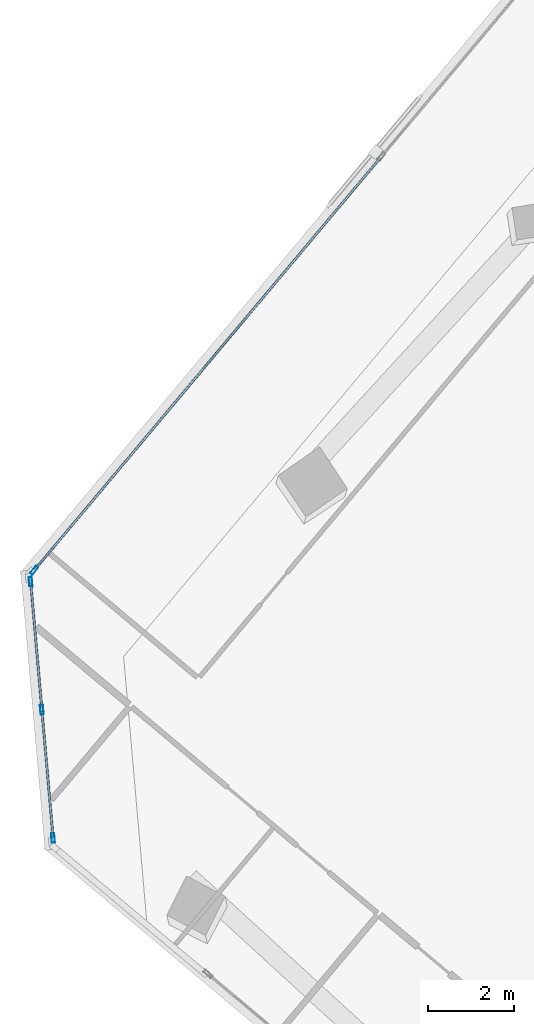
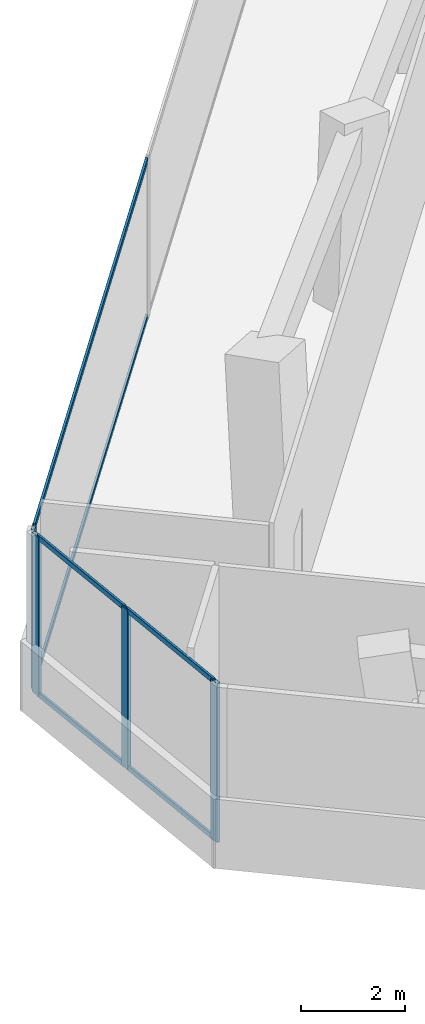
# One storey, part 4 of 18: 10 members, 2 elements without a shape of their own.
"""IFC4 building model written with IfcOpenShell, lengths in metres."""

from ifc_helpers import new_model, si_unit, direction, frame, origin, origin_2d, place, context, subcontext, project, spatial, hollow_rectangle, extrude, source, transform, mapped, material, material_profile, profile_set, type_object, element, aggregate, save


model = new_model("IFC4")

# Units and contexts
model_context = context("Model", 3, precision=1e-05, world=origin(), true_north=direction((0.0, 1.0)))
body_context = subcontext(model_context, "Body", "Model", "MODEL_VIEW")
ifc_project = project(units=[si_unit("LENGTHUNIT", "METRE"), si_unit("AREAUNIT", "SQUARE_METRE"), si_unit("VOLUMEUNIT", "CUBIC_METRE"), si_unit("PLANEANGLEUNIT", "RADIAN"), si_unit("MASSUNIT", "GRAM", prefix="KILO")], contexts=[model_context])

# Site, building, storey
site_placement = place(None, origin())
site = spatial("IfcSite", under=ifc_project, at=site_placement, CompositionType="ELEMENT")
building_placement = place(site_placement, origin())
building = spatial("IfcBuilding", under=site, at=building_placement, Name="Torre Montelarca", CompositionType="ELEMENT")
storey_placement = place(building_placement, frame((0.0, 0.0, 224.800048828125)))
storey = spatial("IfcBuildingStorey", under=building, at=storey_placement, Name="L50", CompositionType="ELEMENT", Elevation=224.800048828125)

# Curtain wall, members
ifc_material_1 = material(Name="Insulated low-E laminated glass", Category="glass")
curtain_wall_type = type_object("IfcCurtainWallType", Name="CW-SYS-Z3", PredefinedType="USERDEFINED", material=ifc_material_1)
curtain_wall_1_placement = place(storey_placement, origin())
curtain_wall_1 = element("IfcCurtainWall", 1, at=curtain_wall_1_placement, inside=storey, type_object=curtain_wall_type, Name="L50 Curtain Wall Run CW-T3-L50-E11-B1", ObjectType="UNITISED GLAZING", PredefinedType="USERDEFINED")
ifc_material_2 = material(Name="Anodised aluminium AA 6063-T6", Category="aluminium")
ifc_material_profile_1 = material_profile(ifc_material_2, hollow_rectangle(XDim=0.054931640625, YDim=0.1201171875, WallThickness=0.00341796875, InnerFilletRadius=0.00341796875, OuterFilletRadius=0.007080078125, at=origin_2d()), Name="ALU55X120X3.5", Category="aluminium")
ifc_profile_set_1 = profile_set([ifc_material_profile_1], Name="Anodised aluminium AA 6063-T6")
member_type_1 = type_object("IfcMemberType", Name="CWT-ALU120", PredefinedType="USERDEFINED", material=ifc_profile_set_1)
shared_shape_1 = source(origin(), body_context, "Body", "SweptSolid", [
    extrude(hollow_rectangle(XDim=0.054931640625, YDim=0.1201171875, WallThickness=0.00341796875, InnerFilletRadius=0.00341796875, OuterFilletRadius=0.007080078125, at=origin_2d()), origin(), (0.0, 0.0, 1.0), 2.903564453125),
])
member_1_placement = place(storey_placement, frame((-3.012939453125, 34.582275390625, 0.02734375), z_axis=(0.087191982893, -0.996191526826, 0.0), x_axis=(0.996191526826, 0.087191982893, 0.0)))
member_1 = element("IfcMember", 2, at=member_1_placement, type_object=member_type_1, Name="CW transom 1.1", ObjectType="TRANSOM", PredefinedType="USERDEFINED", context=body_context, shape_type="MappedRepresentation", body=[
    mapped(shared_shape_1, transform((0.0, 0.0, 0.0), scale=1.0)),
])
member_2_placement = place(storey_placement, frame((-3.012939453125, 34.582275390625, 3.6923828125), z_axis=(0.087191982893, -0.996191526826, 0.0), x_axis=(0.996191526826, 0.087191982893, 0.0)))
member_2 = element("IfcMember", 3, at=member_2_placement, type_object=member_type_1, Name="CW transom 1.2", ObjectType="TRANSOM", PredefinedType="USERDEFINED", context=body_context, shape_type="MappedRepresentation", body=[
    mapped(shared_shape_1, transform((0.0, 0.0, 0.0), scale=1.0)),
])
member_3_placement = place(storey_placement, frame((-2.753173828125, 31.614990234375, 0.02734375), z_axis=(0.08710854021, -0.996198826652, 0.0), x_axis=(0.996198826652, 0.08710854021, 0.0)))
member_3 = element("IfcMember", 4, at=member_3_placement, type_object=member_type_1, Name="CW transom 2.1", ObjectType="TRANSOM", PredefinedType="USERDEFINED", context=body_context, shape_type="MappedRepresentation", body=[
    mapped(shared_shape_1, transform((0.0, 0.0, 0.0), scale=1.0)),
])
member_4_placement = place(storey_placement, frame((-2.753173828125, 31.614990234375, 3.6923828125), z_axis=(0.08710854021, -0.996198826652, 0.0), x_axis=(0.996198826652, 0.08710854021, 0.0)))
member_4 = element("IfcMember", 5, at=member_4_placement, type_object=member_type_1, Name="CW transom 2.2", ObjectType="TRANSOM", PredefinedType="USERDEFINED", context=body_context, shape_type="MappedRepresentation", body=[
    mapped(shared_shape_1, transform((0.0, 0.0, 0.0), scale=1.0)),
])

curtain_wall_2_placement = place(storey_placement, origin())
curtain_wall_2 = element("IfcCurtainWall", 6, at=curtain_wall_2_placement, inside=storey, type_object=curtain_wall_type, Name="L50 Curtain Wall Run CW-T3-L50-E10-B1", ObjectType="UNITISED GLAZING", PredefinedType="USERDEFINED")
shared_shape_2 = source(origin(), body_context, "Body", "SweptSolid", [
    extrude(hollow_rectangle(XDim=0.054931640625, YDim=0.1201171875, WallThickness=0.00341796875, InnerFilletRadius=0.00341796875, OuterFilletRadius=0.007080078125, at=origin_2d()), origin(), (0.0, 0.0, 1.0), 12.421875),
])
member_5_placement = place(storey_placement, frame((5.07568359375, 44.427490234375, 0.02734375), z_axis=(-0.642790525079, -0.766041996805, 0.0), x_axis=(0.766041996805, -0.642790525079, 0.0)))
member_5 = element("IfcMember", 7, at=member_5_placement, type_object=member_type_1, Name="CW transom 2.1", ObjectType="TRANSOM", PredefinedType="USERDEFINED", context=body_context, shape_type="MappedRepresentation", body=[
    mapped(shared_shape_2, transform((0.0, 0.0, 0.0), scale=1.0)),
])
member_6_placement = place(storey_placement, frame((5.07568359375, 44.427490234375, 3.6923828125), z_axis=(-0.642790525079, -0.766041996805, 0.0), x_axis=(0.766041996805, -0.642790525079, 0.0)))
member_6 = element("IfcMember", 8, at=member_6_placement, type_object=member_type_1, Name="CW transom 2.2", ObjectType="TRANSOM", PredefinedType="USERDEFINED", context=body_context, shape_type="MappedRepresentation", body=[
    mapped(shared_shape_2, transform((0.0, 0.0, 0.0), scale=1.0)),
])
ifc_material_profile_2 = material_profile(ifc_material_2, hollow_rectangle(XDim=0.074951171875, YDim=0.219970703125, WallThickness=0.0048828125, InnerFilletRadius=0.0048828125, OuterFilletRadius=0.010009765625, at=origin_2d()), Name="ALU75X220X5", Category="aluminium")
ifc_profile_set_2 = profile_set([ifc_material_profile_2], Name="Anodised aluminium AA 6063-T6")
member_type_2 = type_object("IfcMemberType", Name="CWM-ALU220", PredefinedType="MULLION", material=ifc_profile_set_2)
shared_shape_3 = source(origin(), body_context, "Body", "SweptSolid", [
    extrude(hollow_rectangle(XDim=0.074951171875, YDim=0.219970703125, WallThickness=0.0048828125, InnerFilletRadius=0.0048828125, OuterFilletRadius=0.010009765625, at=origin_2d()), origin(), (0.0, 0.0, 1.0), 3.719970703125),
])
member_7_placement = place(storey_placement, frame((-2.93310546875, 34.883056640625, 0.0), z_axis=(0.0, 0.0, 1.0), x_axis=(0.766043772472, -0.642788408931, 0.0)))
member_7 = element("IfcMember", 9, at=member_7_placement, type_object=member_type_2, Name="CW mullion 3", PredefinedType="MULLION", context=body_context, shape_type="MappedRepresentation", body=[
    mapped(shared_shape_3, transform((0.0, 0.0, 0.0), scale=1.0)),
])
aggregate(curtain_wall_2, [member_7, member_5, member_6])

# Member
member_8_placement = place(storey_placement, frame((-3.01611328125, 34.61962890625, 0.0), z_axis=(0.0, 0.0, 1.0), x_axis=(0.996193789473, 0.087166127681, 0.0)))
member_8 = element("IfcMember", 10, at=member_8_placement, type_object=member_type_2, Name="CW mullion 1", PredefinedType="MULLION", context=body_context, shape_type="MappedRepresentation", body=[
    mapped(shared_shape_3, transform((0.0, 0.0, 0.0), scale=1.0)),
])

member_9_placement = place(storey_placement, frame((-2.756591796875, 31.65234375, 0.0), z_axis=(0.0, 0.0, 1.0), x_axis=(0.996193789473, 0.087166127681, 0.0)))
member_9 = element("IfcMember", 11, at=member_9_placement, type_object=member_type_2, Name="CW mullion 2", PredefinedType="MULLION", context=body_context, shape_type="MappedRepresentation", body=[
    mapped(shared_shape_3, transform((0.0, 0.0, 0.0), scale=1.0)),
])

member_10_placement = place(storey_placement, frame((-2.496826171875, 28.68505859375, 0.0), z_axis=(0.0, 0.0, 1.0), x_axis=(0.996193789473, 0.087166127681, 0.0)))
member_10 = element("IfcMember", 12, at=member_10_placement, type_object=member_type_2, Name="CW mullion 3", PredefinedType="MULLION", context=body_context, shape_type="MappedRepresentation", body=[
    mapped(shared_shape_3, transform((0.0, 0.0, 0.0), scale=1.0)),
])

aggregate(curtain_wall_1, [member_8, member_9, member_10, member_1, member_2, member_3, member_4])

save(model, "model.ifc")
